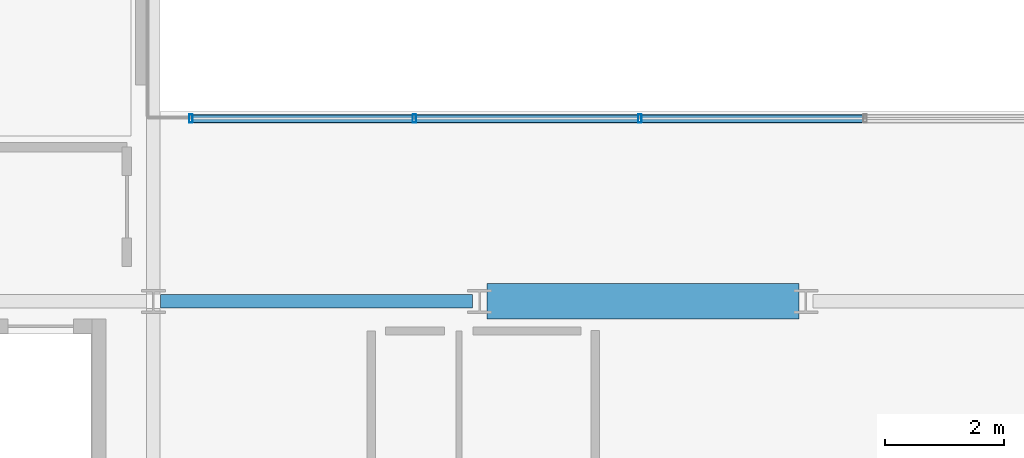
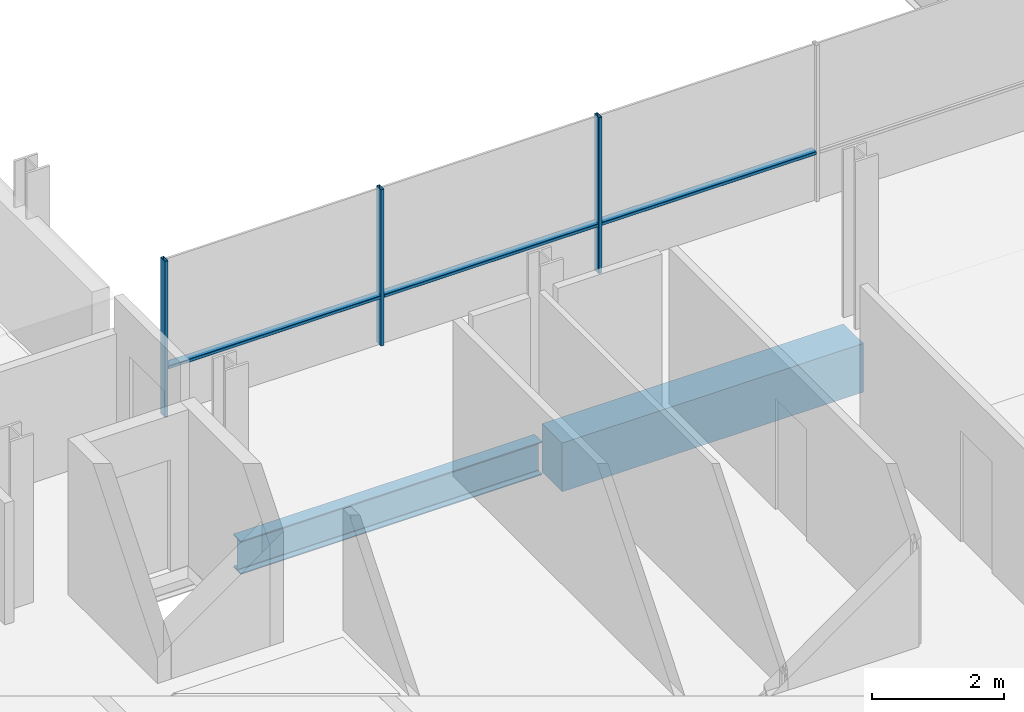
# One storey, part 6 of 41: 6 members, 2 beams, 1 element without a shape of its own.
"""IFC4 building model written with IfcOpenShell, lengths in metres."""

import ifcopenshell
import ifcopenshell.guid

model = None  # the IFC model being written
_history = None  # IfcOwnerHistory: only IFC2X3 demands one
_inside = {}  # id of a spatial element -> (the spatial element, [elements in it])
_under = {}  # id of a project, library or spatial element -> (it, [spatial elements below it])
_declared = {}  # id of a project -> (the project, [libraries it declares])
_typed = {}  # id of a type object -> (the type object, [elements of that type])
_made_of = {}  # id of a material, layer set ... -> (it, [elements and type objects made of it])


def new_model(schema):
    """Start an empty IFC model of exactly this schema.

    Asked for "IFC4X3", IfcOpenShell would pick the latest addendum, in which some entities
    have other attributes; the version numbers below select the first issue.
    IFC2X3 requires an IfcOwnerHistory on every rooted entity: one is made here for all.
    """
    global model, _history
    if schema == "IFC4X3":
        model = ifcopenshell.file(schema_version=(4, 3, 0, 0))
    else:
        model = ifcopenshell.file(schema=schema)
    _inside.clear()
    _under.clear()
    _declared.clear()
    _typed.clear()
    _made_of.clear()
    _history = None
    if model.schema == "IFC2X3":
        org = make("IfcOrganization", Name="unknown")
        user = make(
            "IfcPersonAndOrganization",
            ThePerson=make("IfcPerson", FamilyName="unknown"),
            TheOrganization=org,
        )
        app = make(
            "IfcApplication",
            ApplicationDeveloper=org,
            Version="unknown",
            ApplicationFullName="unknown",
            ApplicationIdentifier="unknown",
        )
        _history = make(
            "IfcOwnerHistory",
            OwningUser=user,
            OwningApplication=app,
            ChangeAction="ADDED",
            CreationDate=0,
        )
    return model


def make(cls, **values):
    """One entity of the class cls with the attributes given. An attribute that is None is left unset."""
    return model.create_entity(
        cls, **{name: value for name, value in values.items() if value is not None}
    )


def rooted(cls, **values):
    """An entity with a GlobalId (a new one), such as an element, a storey or a relation."""
    return make(cls, GlobalId=ifcopenshell.guid.new(), OwnerHistory=_history, **values)


def si_unit(unit_type, name, prefix=None):
    """IfcSIUnit, for example si_unit("LENGTHUNIT", "METRE", prefix="MILLI")."""
    return make("IfcSIUnit", UnitType=unit_type, Prefix=prefix, Name=name)


def assignment(units):
    """IfcUnitAssignment: the units of a project."""
    return None if units is None else make("IfcUnitAssignment", Units=units)


def point(xyz):
    """IfcCartesianPoint."""
    return None if xyz is None else make("IfcCartesianPoint", Coordinates=xyz)


def direction(xyz):
    """IfcDirection."""
    return None if xyz is None else make("IfcDirection", DirectionRatios=xyz)


def frame(location, z_axis=None, x_axis=None):
    """IfcAxis2Placement3D, a coordinate frame: its origin and axes. An axis left out is left unset."""
    return make(
        "IfcAxis2Placement3D",
        Location=point(location),
        Axis=direction(z_axis),
        RefDirection=direction(x_axis),
    )


def frame_2d(location, x_axis=None):
    """IfcAxis2Placement2D, a coordinate frame in the plane: its origin and x axis."""
    return make(
        "IfcAxis2Placement2D", Location=point(location), RefDirection=direction(x_axis)
    )


def origin():
    """The frame at (0, 0, 0) with its axes left unset."""
    return frame((0.0, 0.0, 0.0))


def origin_2d():
    """The frame at (0, 0) in the plane with its x axis left unset."""
    return frame_2d((0.0, 0.0))


def place(relative_to, where):
    """IfcLocalPlacement: puts the frame where relative to a parent placement (None: the world)."""
    return make(
        "IfcLocalPlacement", PlacementRelTo=relative_to, RelativePlacement=where
    )


def context(
    kind, dimensions, precision=None, world=None, true_north=None, identifier=None
):
    """IfcGeometricRepresentationContext, for example the 3D "Model" context."""
    return make(
        "IfcGeometricRepresentationContext",
        ContextIdentifier=identifier,
        ContextType=kind,
        CoordinateSpaceDimension=dimensions,
        Precision=precision,
        WorldCoordinateSystem=world,
        TrueNorth=true_north,
    )


def subcontext(parent, identifier, kind, view, scale=None):
    """IfcGeometricRepresentationSubContext, for example "Body" below "Model"."""
    return make(
        "IfcGeometricRepresentationSubContext",
        ContextIdentifier=identifier,
        ContextType=kind,
        ParentContext=parent,
        TargetScale=scale,
        TargetView=view,
    )


def project(units=None, contexts=None):
    """IfcProject with its units and contexts."""
    return rooted(
        "IfcProject",
        Name="project",
        RepresentationContexts=contexts,
        UnitsInContext=assignment(units),
    )


def spatial(cls, under=None, at=None, **own):
    """A site, building, storey or space (cls), placed at a placement, below another one or the project."""
    s = rooted(cls, ObjectPlacement=at, **own)
    if under is not None:
        _under.setdefault(under.id(), (under, []))[1].append(s)
    return s


def profile(cls, at=None, kind="AREA", **sizes):
    """A parametric profile (cls). Its sizes go by their IFC names, for example OverallWidth=200.0."""
    return make(cls, ProfileType=kind, Position=at, **sizes)


def rectangle(**sizes):
    """IfcRectangleProfileDef."""
    return profile("IfcRectangleProfileDef", **sizes)


def hollow_rectangle(**sizes):
    """IfcRectangleHollowProfileDef."""
    return profile("IfcRectangleHollowProfileDef", **sizes)


def i_section(**sizes):
    """IfcIShapeProfileDef."""
    return profile("IfcIShapeProfileDef", **sizes)


def extrude(swept, where, along, depth):
    """IfcExtrudedAreaSolid: the profile swept, set in the frame where, extruded along a direction by depth."""
    return make(
        "IfcExtrudedAreaSolid",
        SweptArea=swept,
        Position=where,
        ExtrudedDirection=direction(along),
        Depth=depth,
    )


def shape(context_of_items, identifier, shape_type, items):
    """IfcShapeRepresentation: the items that make up one representation, for example the "Body"."""
    return make(
        "IfcShapeRepresentation",
        ContextOfItems=context_of_items,
        RepresentationIdentifier=identifier,
        RepresentationType=shape_type,
        Items=items,
    )


def material(Name=None, Category=None):
    """IfcMaterial."""
    return make("IfcMaterial", Name=Name, Category=Category)


def layer(
    of_material, thickness, ventilated=None, Name=None, Category=None, Priority=None
):
    """IfcMaterialLayer: one layer of a wall or slab, of a material (None: an air gap)."""
    return make(
        "IfcMaterialLayer",
        Material=of_material,
        LayerThickness=thickness,
        IsVentilated=ventilated,
        Name=Name,
        Category=Category,
        Priority=Priority,
    )


def layer_set(layers, Name=None):
    """IfcMaterialLayerSet."""
    return make("IfcMaterialLayerSet", MaterialLayers=layers, LayerSetName=Name)


def material_profile(
    of_material, cross_section, Name=None, Category=None, Priority=None
):
    """IfcMaterialProfile: a cross section and its material."""
    return make(
        "IfcMaterialProfile",
        Name=Name,
        Material=of_material,
        Profile=cross_section,
        Priority=Priority,
        Category=Category,
    )


def profile_set(profiles, Name=None, composite=None):
    """IfcMaterialProfileSet."""
    return make(
        "IfcMaterialProfileSet",
        Name=Name,
        MaterialProfiles=profiles,
        CompositeProfile=composite,
    )


def made_of(thing, what):
    """Note that an element or type object is made of a material, layer set ...; save() writes the relation."""
    if what is not None:
        _made_of.setdefault(what.id(), (what, []))[1].append(thing)
    return thing


def type_object(cls, material=None, **own):
    """A type object (cls), such as IfcWallType, which elements share."""
    return made_of(rooted(cls, **own), material)


def element(
    cls,
    number,
    at=None,
    inside=None,
    cuts=None,
    type_object=None,
    material=None,
    context=None,
    identifier="Body",
    shape_type=None,
    held_by="IfcProductDefinitionShape",
    body=None,
    shapes=None,
    **own,
):
    """One element of the class cls, such as IfcWall. Its Tag is "e" and its number.

    at: its placement. inside: the storey or other place that contains it. cuts: it is an
    opening in that element (IfcRelVoidsElement). A single representation is given by context,
    identifier, shape_type and body (its items); several are given by shapes. held_by: the class
    of the entity that holds the representations. save() writes the other relations.
    """
    e = rooted(cls, Tag="e%d" % number, ObjectPlacement=at, **own)
    if body is not None:
        shapes = [shape(context, identifier, shape_type, body)]
    if shapes is not None:
        e.Representation = make(held_by, Representations=shapes)
    if inside is not None:
        _inside.setdefault(inside.id(), (inside, []))[1].append(e)
    if cuts is not None:
        rooted(
            "IfcRelVoidsElement", RelatingBuildingElement=cuts, RelatedOpeningElement=e
        )
    if type_object is not None:
        _typed.setdefault(type_object.id(), (type_object, []))[1].append(e)
    return made_of(e, material)


def aggregate(whole, parts):
    """IfcRelAggregates: a whole, such as a stair, and the parts it consists of."""
    return rooted("IfcRelAggregates", RelatingObject=whole, RelatedObjects=parts)


def save(model, path):
    """Write the relations noted so far, then the file.

    IfcRelAggregates (storeys below a building ...), IfcRelContainedInSpatialStructure (elements
    in a storey), IfcRelDefinesByType, IfcRelAssociatesMaterial and IfcRelDeclares: one each for
    every whole, place, type object, material and project.
    """
    for whole, parts in _under.values():
        aggregate(whole, parts)
    for where, things in _inside.values():
        rooted(
            "IfcRelContainedInSpatialStructure",
            RelatedElements=things,
            RelatingStructure=where,
        )
    for kind, things in _typed.values():
        rooted("IfcRelDefinesByType", RelatedObjects=things, RelatingType=kind)
    for what, things in _made_of.values():
        rooted("IfcRelAssociatesMaterial", RelatedObjects=things, RelatingMaterial=what)
    for by, libraries in _declared.values():
        rooted("IfcRelDeclares", RelatingContext=by, RelatedDefinitions=libraries)
    model.write(path)


model = new_model("IFC4")

# Units and contexts
model_context = context("Model", 3, precision=1e-05, world=origin(), true_north=direction((0.0, 1.0)))
body_context = subcontext(model_context, "Body", "Model", "MODEL_VIEW")
ifc_project = project(units=[si_unit("LENGTHUNIT", "METRE"), si_unit("AREAUNIT", "SQUARE_METRE"), si_unit("VOLUMEUNIT", "CUBIC_METRE"), si_unit("PLANEANGLEUNIT", "RADIAN"), si_unit("MASSUNIT", "GRAM", prefix="KILO")], contexts=[model_context])

# Site, building, storey
site_placement = place(None, origin())
site = spatial("IfcSite", under=ifc_project, at=site_placement, CompositionType="ELEMENT")
building_placement = place(site_placement, origin())
building = spatial("IfcBuilding", under=site, at=building_placement, Name="Brevholm Reach", CompositionType="ELEMENT")
storey_placement = place(building_placement, frame((0.0, 0.0, 157.300048828125)))
storey = spatial("IfcBuildingStorey", under=building, at=storey_placement, Name="L47", CompositionType="ELEMENT", Elevation=157.300048828125)

# Beams
ifc_material_1 = material(Name="Concrete C50/60", Category="concrete")
ifc_material_profile_1 = material_profile(ifc_material_1, rectangle(XDim=0.60009765625, YDim=0.89990234375, at=origin_2d()), Name="RC 600x900")
ifc_profile_set_1 = profile_set([ifc_material_profile_1], Name="Concrete C50/60")
beam_type_1 = type_object("IfcBeamType", Name="BM-CB600", PredefinedType="LINTEL", material=ifc_profile_set_1)
beam_1_placement = place(storey_placement, frame((27.3701171875, 10.0, -0.670166015625), z_axis=(1.0, 0.0, 0.0), x_axis=(0.0, 1.0, 0.0)))
element("IfcBeam", 1, at=beam_1_placement, inside=storey, type_object=beam_type_1, Name="L47 CB-02 Framing Beam", PredefinedType="LINTEL", context=body_context, shape_type="SweptSolid", body=[
    extrude(rectangle(XDim=0.60009765625, YDim=0.89990234375, at=origin_2d()), origin(), (0.0, 0.0, 1.0), 5.259765625),
])
ifc_material_2 = material(Name="Structural Steel S355J2", Category="steel")
ifc_material_profile_2 = material_profile(ifc_material_2, i_section(OverallWidth=0.22900390625, OverallDepth=0.6123046875, WebThickness=0.011962890625, FlangeThickness=0.01953125, FilletRadius=0.0126953125, at=origin_2d()), Name="UKB 610x229x125")
ifc_profile_set_2 = profile_set([ifc_material_profile_2], Name="Structural Steel S355J2")
beam_type_2 = type_object("IfcBeamType", Name="BM-SP610", PredefinedType="SPANDREL", material=ifc_profile_set_2)
beam_2_placement = place(storey_placement, frame((21.8701171875, 10.0, -0.526123046875), z_axis=(1.0, 0.0, 0.0), x_axis=(0.0, 1.0, 0.0)))
element("IfcBeam", 2, at=beam_2_placement, inside=storey, type_object=beam_type_2, Name="L47 SP-01 Framing Beam", PredefinedType="SPANDREL", context=body_context, shape_type="SweptSolid", body=[
    extrude(i_section(OverallWidth=0.22900390625, OverallDepth=0.6123046875, WebThickness=0.011962890625, FlangeThickness=0.01953125, FilletRadius=0.0126953125, at=origin_2d()), origin(), (0.0, 0.0, 1.0), 5.259765625),
])

# Curtain wall, members
ifc_material_3 = material(Name="Dark Anodised Aluminium 6063-T6 and Solar-Control Glass", Category="aluminium")
ifc_layer = layer(ifc_material_3, 0.139892578125)
ifc_layer_set = layer_set([ifc_layer], Name="Dark Anodised Aluminium 6063-T6 and Solar-Control Glass")
curtain_wall_type = type_object("IfcCurtainWallType", Name="CW-02", PredefinedType="NOTDEFINED", material=ifc_layer_set)
curtain_wall_placement = place(storey_placement, origin())
curtain_wall = element("IfcCurtainWall", 3, at=curtain_wall_placement, inside=storey, type_object=curtain_wall_type, Name="L47 Curtain Wall CW-02", PredefinedType="NOTDEFINED")
ifc_material_4 = material(Name="Dark Anodised Aluminium 6063-T6", Category="aluminium")
ifc_material_profile_3 = material_profile(ifc_material_4, hollow_rectangle(XDim=0.06005859375, YDim=0.139892578125, WallThickness=0.0048828125, InnerFilletRadius=0.0048828125, OuterFilletRadius=0.010009765625, at=origin_2d()), Name="RHS 140x60x5")
ifc_profile_set_3 = profile_set([ifc_material_profile_3], Name="Dark Anodised Aluminium 6063-T6")
member_type_1 = type_object("IfcMemberType", Name="CWM-140", PredefinedType="MULLION", material=ifc_profile_set_3)
member_1_placement = place(storey_placement, frame((22.3798828125, 13.080078125, 0.0), z_axis=(0.0, 0.0, 1.0), x_axis=(1.0, 0.0, 0.0)))
member_1 = element("IfcMember", 4, at=member_1_placement, type_object=member_type_1, Name="CM-140 Mullion 1", PredefinedType="MULLION", context=body_context, shape_type="SweptSolid", body=[
    extrude(hollow_rectangle(XDim=0.06005859375, YDim=0.139892578125, WallThickness=0.0048828125, InnerFilletRadius=0.0048828125, OuterFilletRadius=0.010009765625, at=origin_2d()), origin(), (0.0, 0.0, 1.0), 2.8798828125),
])
member_2_placement = place(storey_placement, frame((26.14990234375, 13.080078125, 0.0), z_axis=(0.0, 0.0, 1.0), x_axis=(1.0, 0.0, 0.0)))
member_2 = element("IfcMember", 5, at=member_2_placement, type_object=member_type_1, Name="CM-140 Mullion 2", PredefinedType="MULLION", context=body_context, shape_type="SweptSolid", body=[
    extrude(hollow_rectangle(XDim=0.06005859375, YDim=0.139892578125, WallThickness=0.0048828125, InnerFilletRadius=0.0048828125, OuterFilletRadius=0.010009765625, at=origin_2d()), origin(), (0.0, 0.0, 1.0), 2.8798828125),
])
member_3_placement = place(storey_placement, frame((29.949951171875, 13.080078125, 0.0), z_axis=(0.0, 0.0, 1.0), x_axis=(1.0, 0.0, 0.0)))
member_3 = element("IfcMember", 6, at=member_3_placement, type_object=member_type_1, Name="CM-140 Mullion 3", PredefinedType="MULLION", context=body_context, shape_type="SweptSolid", body=[
    extrude(hollow_rectangle(XDim=0.06005859375, YDim=0.139892578125, WallThickness=0.0048828125, InnerFilletRadius=0.0048828125, OuterFilletRadius=0.010009765625, at=origin_2d()), origin(), (0.0, 0.0, 1.0), 2.8798828125),
])
ifc_material_5 = material(Name="Dark Anodised Aluminium 6063-T6", Category="aluminium")
ifc_material_profile_4 = material_profile(ifc_material_5, hollow_rectangle(XDim=0.06005859375, YDim=0.139892578125, WallThickness=0.0048828125, InnerFilletRadius=0.0048828125, OuterFilletRadius=0.010009765625, at=origin_2d()), Name="RHS 140x60x5")
ifc_profile_set_4 = profile_set([ifc_material_profile_4], Name="Dark Anodised Aluminium 6063-T6")
member_type_2 = type_object("IfcMemberType", Name="CWT-140", PredefinedType="NOTDEFINED", material=ifc_profile_set_4)
member_4_placement = place(storey_placement, frame((22.409912109375, 13.080078125, 0.89990234375), z_axis=(1.0, 0.0, 0.0), x_axis=(0.0, 0.0, 1.0)))
member_4 = element("IfcMember", 7, at=member_4_placement, type_object=member_type_2, Name="CT-140 Transom 1.1", ObjectType="TRANSOM", PredefinedType="USERDEFINED", context=body_context, shape_type="SweptSolid", body=[
    extrude(hollow_rectangle(XDim=0.06005859375, YDim=0.139892578125, WallThickness=0.0048828125, InnerFilletRadius=0.0048828125, OuterFilletRadius=0.010009765625, at=origin_2d()), origin(), (0.0, 0.0, 1.0), 3.710205078125),
])
member_5_placement = place(storey_placement, frame((26.179931640625, 13.080078125, 0.89990234375), z_axis=(1.0, 0.0, 0.0), x_axis=(0.0, 0.0, 1.0)))
member_5 = element("IfcMember", 8, at=member_5_placement, type_object=member_type_2, Name="CT-140 Transom 2.1", ObjectType="TRANSOM", PredefinedType="USERDEFINED", context=body_context, shape_type="SweptSolid", body=[
    extrude(hollow_rectangle(XDim=0.06005859375, YDim=0.139892578125, WallThickness=0.0048828125, InnerFilletRadius=0.0048828125, OuterFilletRadius=0.010009765625, at=origin_2d()), origin(), (0.0, 0.0, 1.0), 3.739990234375),
])
member_6_placement = place(storey_placement, frame((29.97998046875, 13.080078125, 0.89990234375), z_axis=(1.0, 0.0, 0.0), x_axis=(0.0, 0.0, 1.0)))
member_6 = element("IfcMember", 9, at=member_6_placement, type_object=member_type_2, Name="CT-140 Transom 3.1", ObjectType="TRANSOM", PredefinedType="USERDEFINED", context=body_context, shape_type="SweptSolid", body=[
    extrude(hollow_rectangle(XDim=0.06005859375, YDim=0.139892578125, WallThickness=0.0048828125, InnerFilletRadius=0.0048828125, OuterFilletRadius=0.010009765625, at=origin_2d()), origin(), (0.0, 0.0, 1.0), 3.739990234375),
])
aggregate(curtain_wall, [member_1, member_2, member_3, member_4, member_5, member_6])

save(model, "model.ifc")
